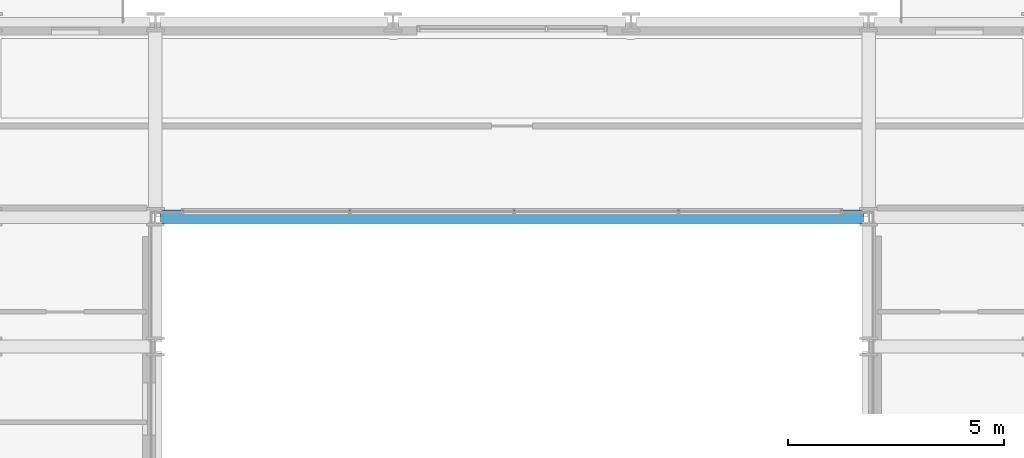
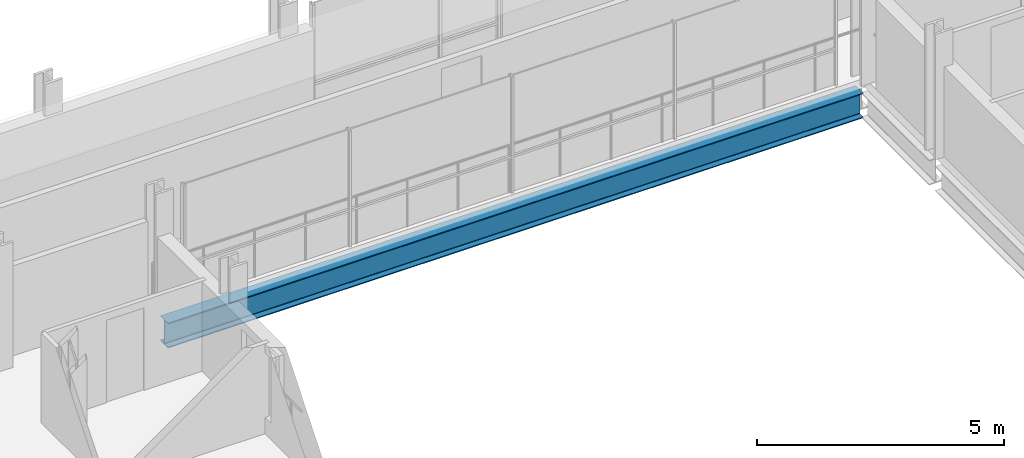
# One storey, part 10 of 39: 1 beam.
"""IFC4 building model written with IfcOpenShell, lengths in metres."""

from ifc_helpers import new_model, si_unit, direction, frame, origin, origin_2d, place, context, subcontext, project, spatial, i_section, extrude, material, material_profile, profile_set, type_object, element, save


model = new_model("IFC4")

# Units and contexts
model_context = context("Model", 3, precision=1e-05, world=origin(), true_north=direction((0.0, 1.0)))
body_context = subcontext(model_context, "Body", "Model", "MODEL_VIEW")
ifc_project = project(units=[si_unit("LENGTHUNIT", "METRE"), si_unit("AREAUNIT", "SQUARE_METRE"), si_unit("VOLUMEUNIT", "CUBIC_METRE"), si_unit("PLANEANGLEUNIT", "RADIAN"), si_unit("MASSUNIT", "GRAM", prefix="KILO")], contexts=[model_context])

# Site, building, storey
site_placement = place(None, origin())
site = spatial("IfcSite", under=ifc_project, at=site_placement, CompositionType="ELEMENT")
building_placement = place(site_placement, origin())
building = spatial("IfcBuilding", under=site, at=building_placement, Name="Brevholm Reach", CompositionType="ELEMENT")
storey_placement = place(building_placement, frame((0.0, 0.0, 83.800048828125)))
storey = spatial("IfcBuildingStorey", under=building, at=storey_placement, Name="L24", CompositionType="ELEMENT", Elevation=83.800048828125)

# Beam
ifc_material = material(Name="Structural Steel S355J2", Category="steel")
ifc_material_profile = material_profile(ifc_material, i_section(OverallWidth=0.30712890625, OverallDepth=0.6201171875, WebThickness=0.01416015625, FlangeThickness=0.023681640625, FilletRadius=0.0166015625, at=origin_2d()), Name="UKB 610x305x179")
ifc_profile_set = profile_set([ifc_material_profile], Name="Structural Steel S355J2")
beam_type = type_object("IfcBeamType", Name="BM-UKB610H", PredefinedType="USERDEFINED", material=ifc_profile_set)
beam_placement = place(storey_placement, frame((21.8701171875, 26.5, -0.5400390625), z_axis=(1.0, 0.0, 0.0), x_axis=(0.0, 1.0, 0.0)))
element("IfcBeam", 1, at=beam_placement, inside=storey, type_object=beam_type, Name="L24 G-06 Framing Beam", ObjectType="GIRDER", PredefinedType="USERDEFINED", context=body_context, shape_type="SweptSolid", body=[
    extrude(i_section(OverallWidth=0.30712890625, OverallDepth=0.6201171875, WebThickness=0.01416015625, FlangeThickness=0.023681640625, FilletRadius=0.0166015625, at=origin_2d()), origin(), (0.0, 0.0, 1.0), 16.259765625),
])

save(model, "model.ifc")
